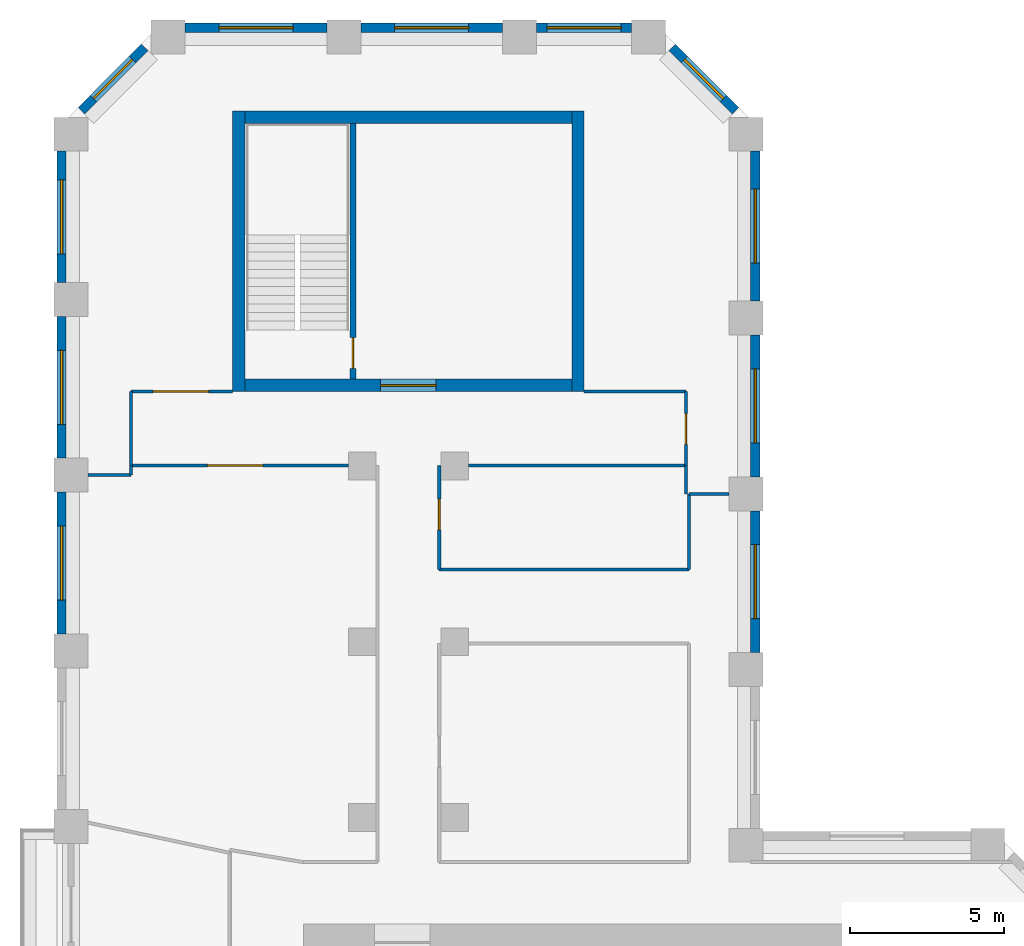
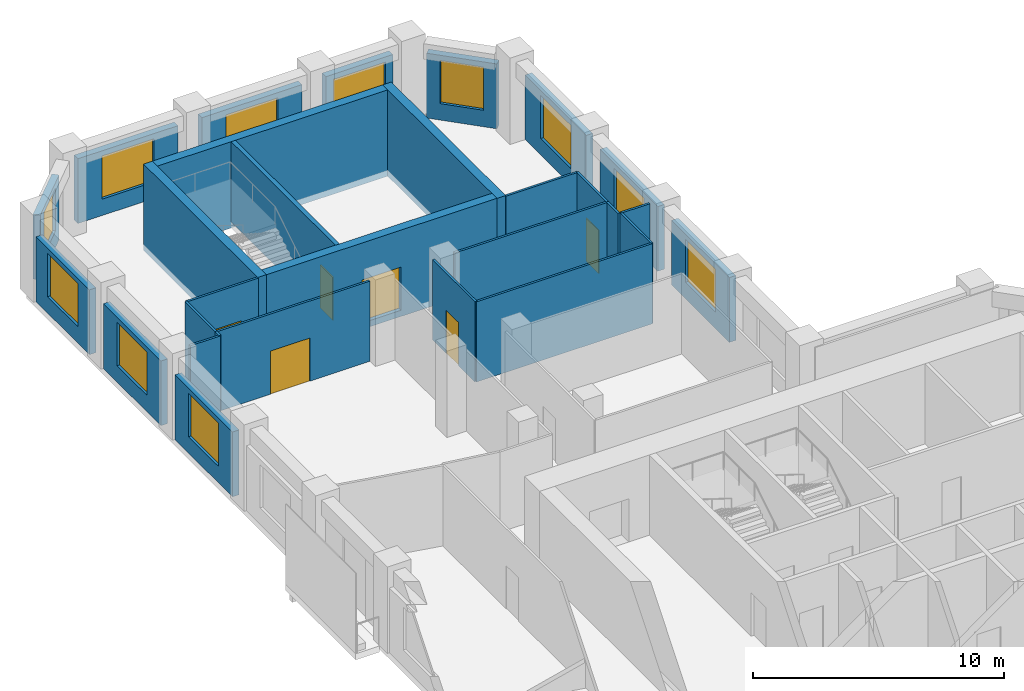
# One storey, part 8 of 10: 29 walls, 11 windows, 6 doors, 17 openings.
"""IFC4 building model written with IfcOpenShell, lengths in metres."""

from ifc_helpers import new_model, si_unit, direction, frame, frame_2d, origin, place, context, subcontext, project, spatial, rectangle, extrude, material, layer, layer_set, type_object, element, fill, save


model = new_model("IFC4")

# Units and contexts
model_context = context("Model", 3, precision=1e-05, world=origin(), true_north=direction((0.0, 1.0)))
body_context = subcontext(model_context, "Body", "Model", "MODEL_VIEW")
ifc_project = project(units=[si_unit("LENGTHUNIT", "METRE"), si_unit("AREAUNIT", "SQUARE_METRE"), si_unit("VOLUMEUNIT", "CUBIC_METRE"), si_unit("PLANEANGLEUNIT", "RADIAN"), si_unit("MASSUNIT", "GRAM", prefix="KILO")], contexts=[model_context])

# Site, building, storey
site_placement = place(None, origin())
site = spatial("IfcSite", under=ifc_project, at=site_placement, CompositionType="ELEMENT")
building_placement = place(site_placement, origin())
building = spatial("IfcBuilding", under=site, at=building_placement, Name="Meshkara Civic Tower", CompositionType="ELEMENT")
storey_placement = place(building_placement, frame((0.0, 0.0, 255.0)))
storey = spatial("IfcBuildingStorey", under=building, at=storey_placement, Name="L58", CompositionType="ELEMENT", Elevation=255.0)

# Wall, opening, door
ifc_material_1 = material(Name="Corridor wall 100")
ifc_layer_1 = layer(ifc_material_1, 0.10009765625)
ifc_layer_set_1 = layer_set([ifc_layer_1], Name="Corridor wall 100")
wall_type_1 = type_object("IfcWallType", Name="Corridor wall 100", PredefinedType="PARTITIONING", material=ifc_layer_set_1)
wall_1_placement = place(storey_placement, frame((2.39990234375, 51.77001953125, 0.0), z_axis=(0.0, 0.0, 1.0), x_axis=(1.0, 0.0, 0.0)))
wall_1 = element("IfcWall", 1, at=wall_1_placement, inside=storey, type_object=wall_type_1, Name="L58-W001", PredefinedType="PARTITIONING", context=body_context, shape_type="SweptSolid", body=[
    extrude(rectangle(XDim=7.050048828125, YDim=0.10009765625, at=frame_2d((3.52490234375, 0.0))), origin(), (0.0, 0.0, 1.0), 3.89990234375),
])
opening_1_placement = place(wall_1_placement, frame((2.47998046875, 0.0, 0.0)))
opening_1 = element("IfcOpeningElement", 2, at=opening_1_placement, cuts=wall_1, Name="Opening L58-D016", PredefinedType="OPENING", context=body_context, shape_type="SweptSolid", body=[
    extrude(rectangle(XDim=1.800048828125, YDim=2.10009765625, at=frame_2d((0.89990234375, 1.050048828125))), frame((0.0, 0.06005859375, 0.0), z_axis=(0.0, -1.0, 0.0), x_axis=(1.0, 0.0, 0.0)), (0.0, 0.0, 1.0), 0.1201171875),
])
ifc_material_2 = material(Name="Door pair 1800 x 2100")
door_type_1 = type_object("IfcDoorType", Name="Door pair 1800 x 2100", OperationType="SINGLE_SWING_LEFT", PredefinedType="DOOR", material=ifc_material_2)
door_1_placement = place(opening_1_placement, origin())
door_1 = element("IfcDoor", 3, at=door_1_placement, inside=storey, type_object=door_type_1, Name="L58-D016", OperationType="DOUBLE_DOOR_SINGLE_SWING", OverallHeight=2.10009765625, OverallWidth=1.800048828125, PredefinedType="DOOR", context=body_context, shape_type="SweptSolid", body=[
    extrude(rectangle(XDim=1.800048828125, YDim=2.10009765625, at=frame_2d((0.89990234375, 1.050048828125))), frame((0.0, 0.02490234375, 0.0), z_axis=(0.0, -1.0, 0.0), x_axis=(1.0, 0.0, 0.0)), (0.0, 0.0, 1.0), 0.050048828125),
])
fill(opening_1, door_1)

# Wall
wall_2_placement = place(storey_placement, frame((2.39990234375, 54.169921875, 0.0), z_axis=(0.0, 0.0, 1.0), x_axis=(0.0, -1.0, 0.0)))
element("IfcWall", 4, at=wall_2_placement, inside=storey, type_object=wall_type_1, Name="L58-W002", PredefinedType="PARTITIONING", context=body_context, shape_type="SweptSolid", body=[
    extrude(rectangle(XDim=2.39990234375, YDim=0.10009765625, at=frame_2d((1.199951171875, 0.0))), origin(), (0.0, 0.0, 1.0), 3.89990234375),
])

# Wall, opening, door
wall_3_placement = place(storey_placement, frame((5.699951171875, 54.169921875, 0.0), z_axis=(0.0, 0.0, 1.0), x_axis=(-1.0, 0.0, 0.0)))
wall_3 = element("IfcWall", 5, at=wall_3_placement, inside=storey, type_object=wall_type_1, Name="L58-W005", PredefinedType="PARTITIONING", context=body_context, shape_type="SweptSolid", body=[
    extrude(rectangle(XDim=3.300048828125, YDim=0.10009765625, at=frame_2d((1.64990234375, 0.0))), origin(), (0.0, 0.0, 1.0), 3.89990234375),
])
opening_2_placement = place(wall_3_placement, frame((0.780029296875, 0.0, 0.0)))
opening_2 = element("IfcOpeningElement", 6, at=opening_2_placement, cuts=wall_3, Name="Opening L58-D019", PredefinedType="OPENING", context=body_context, shape_type="SweptSolid", body=[
    extrude(rectangle(XDim=1.800048828125, YDim=2.10009765625, at=frame_2d((0.89990234375, 1.050048828125))), frame((0.0, 0.06005859375, 0.0), z_axis=(0.0, -1.0, 0.0), x_axis=(1.0, 0.0, 0.0)), (0.0, 0.0, 1.0), 0.1201171875),
])
door_2_placement = place(opening_2_placement, origin())
door_2 = element("IfcDoor", 7, at=door_2_placement, inside=storey, type_object=door_type_1, Name="L58-D019", OperationType="DOUBLE_DOOR_SINGLE_SWING", OverallHeight=2.10009765625, OverallWidth=1.800048828125, PredefinedType="DOOR", context=body_context, shape_type="SweptSolid", body=[
    extrude(rectangle(XDim=1.800048828125, YDim=2.10009765625, at=frame_2d((0.89990234375, 1.050048828125))), frame((0.0, 0.02490234375, 0.0), z_axis=(0.0, -1.0, 0.0), x_axis=(1.0, 0.0, 0.0)), (0.0, 0.0, 1.0), 0.050048828125),
])
fill(opening_2, door_2)

wall_4_placement = place(storey_placement, frame((12.39990234375, 48.39990234375, 0.0), z_axis=(0.0, 0.0, 1.0), x_axis=(0.0, 1.0, 0.0)))
wall_4 = element("IfcWall", 8, at=wall_4_placement, inside=storey, type_object=wall_type_1, Name="L58-W015", PredefinedType="PARTITIONING", context=body_context, shape_type="SweptSolid", body=[
    extrude(rectangle(XDim=3.3701171875, YDim=0.10009765625, at=frame_2d((1.68505859375, 0.0))), origin(), (0.0, 0.0, 1.0), 3.89990234375),
])
opening_3_placement = place(wall_4_placement, frame((1.280029296875, 0.0, 0.0)))
opening_3 = element("IfcOpeningElement", 9, at=opening_3_placement, cuts=wall_4, Name="Opening L58-D017", PredefinedType="OPENING", context=body_context, shape_type="SweptSolid", body=[
    extrude(rectangle(XDim=1.0, YDim=2.10009765625, at=frame_2d((0.5, 1.050048828125))), frame((0.0, 0.06005859375, 0.0), z_axis=(0.0, -1.0, 0.0), x_axis=(1.0, 0.0, 0.0)), (0.0, 0.0, 1.0), 0.1201171875),
])
ifc_material_3 = material(Name="Door 1000 x 2100")
door_type_2 = type_object("IfcDoorType", Name="Door 1000 x 2100", OperationType="SINGLE_SWING_LEFT", PredefinedType="DOOR", material=ifc_material_3)
door_3_placement = place(opening_3_placement, origin())
door_3 = element("IfcDoor", 10, at=door_3_placement, inside=storey, type_object=door_type_2, Name="L58-D017", OperationType="SINGLE_SWING_LEFT", OverallHeight=2.10009765625, OverallWidth=1.0, PredefinedType="DOOR", context=body_context, shape_type="SweptSolid", body=[
    extrude(rectangle(XDim=1.0, YDim=2.10009765625, at=frame_2d((0.5, 1.050048828125))), frame((0.0, 0.02490234375, 0.0), z_axis=(0.0, -1.0, 0.0), x_axis=(1.0, 0.0, 0.0)), (0.0, 0.0, 1.0), 0.050048828125),
])
fill(opening_3, door_3)

# Wall
wall_5_placement = place(storey_placement, frame((13.35009765625, 51.77001953125, 0.0), z_axis=(0.0, 0.0, 1.0), x_axis=(1.0, 0.0, 0.0)))
element("IfcWall", 11, at=wall_5_placement, inside=storey, type_object=wall_type_1, Name="L58-W018", PredefinedType="PARTITIONING", context=body_context, shape_type="SweptSolid", body=[
    extrude(rectangle(XDim=7.0498046875, YDim=0.10009765625, at=frame_2d((3.52490234375, 0.0))), origin(), (0.0, 0.0, 1.0), 3.89990234375),
])

# Wall, opening, door
wall_6_placement = place(storey_placement, frame((20.39990234375, 51.77001953125, 0.0), z_axis=(0.0, 0.0, 1.0), x_axis=(0.0, 1.0, 0.0)))
wall_6 = element("IfcWall", 12, at=wall_6_placement, inside=storey, type_object=wall_type_1, Name="L58-W019", PredefinedType="PARTITIONING", context=body_context, shape_type="SweptSolid", body=[
    extrude(rectangle(XDim=2.39990234375, YDim=0.10009765625, at=frame_2d((1.199951171875, 0.0))), origin(), (0.0, 0.0, 1.0), 3.89990234375),
])
opening_4_placement = place(wall_6_placement, frame((0.679931640625, 0.0, 0.0)))
opening_4 = element("IfcOpeningElement", 13, at=opening_4_placement, cuts=wall_6, Name="Opening L58-D018", PredefinedType="OPENING", context=body_context, shape_type="SweptSolid", body=[
    extrude(rectangle(XDim=1.0, YDim=2.10009765625, at=frame_2d((0.5, 1.050048828125))), frame((0.0, 0.06005859375, 0.0), z_axis=(0.0, -1.0, 0.0), x_axis=(1.0, 0.0, 0.0)), (0.0, 0.0, 1.0), 0.1201171875),
])
door_4_placement = place(opening_4_placement, origin())
door_4 = element("IfcDoor", 14, at=door_4_placement, inside=storey, type_object=door_type_2, Name="L58-D018", OperationType="SINGLE_SWING_RIGHT", OverallHeight=2.10009765625, OverallWidth=1.0, PredefinedType="DOOR", context=body_context, shape_type="SweptSolid", body=[
    extrude(rectangle(XDim=1.0, YDim=2.10009765625, at=frame_2d((0.5, 1.050048828125))), frame((0.0, 0.02490234375, 0.0), z_axis=(0.0, -1.0, 0.0), x_axis=(1.0, 0.0, 0.0)), (0.0, 0.0, 1.0), 0.050048828125),
])
fill(opening_4, door_4)

# Walls
wall_7_placement = place(storey_placement, frame((20.39990234375, 54.169921875, 0.0), z_axis=(0.0, 0.0, 1.0), x_axis=(-1.0, 0.0, 0.0)))
element("IfcWall", 15, at=wall_7_placement, inside=storey, type_object=wall_type_1, Name="L58-W020", PredefinedType="PARTITIONING", context=body_context, shape_type="SweptSolid", body=[
    extrude(rectangle(XDim=3.2998046875, YDim=0.10009765625, at=frame_2d((1.64990234375, 0.0))), origin(), (0.0, 0.0, 1.0), 3.89990234375),
])
wall_8_placement = place(storey_placement, frame((20.5, 48.39990234375, 0.0), z_axis=(0.0, 0.0, 1.0), x_axis=(-1.0, 0.0, 0.0)))
element("IfcWall", 16, at=wall_8_placement, inside=storey, type_object=wall_type_1, Name="L58-W023", PredefinedType="PARTITIONING", context=body_context, shape_type="SweptSolid", body=[
    extrude(rectangle(XDim=8.10009765625, YDim=0.10009765625, at=frame_2d((4.050048828125, 0.0))), origin(), (0.0, 0.0, 1.0), 3.89990234375),
])
wall_9_placement = place(storey_placement, frame((20.5, 50.85009765625, 0.0), z_axis=(0.0, 0.0, 1.0), x_axis=(0.0, -1.0, 0.0)))
element("IfcWall", 17, at=wall_9_placement, inside=storey, type_object=wall_type_1, Name="L58-W024", PredefinedType="PARTITIONING", context=body_context, shape_type="SweptSolid", body=[
    extrude(rectangle(XDim=2.4501953125, YDim=0.10009765625, at=frame_2d((1.22509765625, 0.0))), origin(), (0.0, 0.0, 1.0), 3.89990234375),
])
wall_10_placement = place(storey_placement, frame((21.800048828125, 50.85009765625, 0.0), z_axis=(0.0, 0.0, 1.0), x_axis=(-1.0, 0.0, 0.0)))
element("IfcWall", 18, at=wall_10_placement, inside=storey, type_object=wall_type_1, Name="L58-W025", PredefinedType="PARTITIONING", context=body_context, shape_type="SweptSolid", body=[
    extrude(rectangle(XDim=1.300048828125, YDim=0.10009765625, at=frame_2d((0.64990234375, 0.0))), origin(), (0.0, 0.0, 1.0), 3.89990234375),
])

# Wall, opening, window
ifc_material_4 = material(Name="Insulated infill panel with bronze anodised aluminium cladding", Category="aluminium")
ifc_layer_2 = layer(ifc_material_4, 0.300048828125)
ifc_layer_set_2 = layer_set([ifc_layer_2], Name="EXTERNAL INFILL WALL 300")
wall_type_2 = type_object("IfcWallType", Name="EXTERNAL INFILL WALL 300", PredefinedType="SOLIDWALL", material=ifc_layer_set_2)
wall_11_placement = place(storey_placement, frame((22.64990234375, 45.699951171875, 0.0), z_axis=(0.0, 0.0, 1.0), x_axis=(0.0, 1.0, 0.0)))
wall_11 = element("IfcWall", 19, at=wall_11_placement, inside=storey, type_object=wall_type_2, Name="External wall", PredefinedType="SOLIDWALL", context=body_context, shape_type="SweptSolid", body=[
    extrude(rectangle(XDim=4.60009765625, YDim=0.300048828125, at=frame_2d((2.300048828125, 0.0))), origin(), (0.0, 0.0, 1.0), 3.14990234375),
])
opening_5_placement = place(wall_11_placement, frame((1.10009765625, 0.0, 0.800048828125)))
opening_5 = element("IfcOpeningElement", 20, at=opening_5_placement, cuts=wall_11, Name="Opening W7", PredefinedType="OPENING", context=body_context, shape_type="SweptSolid", body=[
    extrude(rectangle(XDim=2.39990234375, YDim=2.10009765625, at=frame_2d((1.199951171875, 1.050048828125))), frame((0.0, 0.159912109375, 0.0), z_axis=(0.0, -1.0, 0.0), x_axis=(1.0, 0.0, 0.0)), (0.0, 0.0, 1.0), 0.320068359375),
])
ifc_material_5 = material(Name="Tinted double glazing", Category="glass")
window_type_1 = type_object("IfcWindowType", Name="WINDOW 2400x2100", PartitioningType="DOUBLE_PANEL_VERTICAL", PredefinedType="WINDOW", material=ifc_material_5)
window_1_placement = place(opening_5_placement, origin())
window_1 = element("IfcWindow", 21, at=window_1_placement, inside=storey, type_object=window_type_1, Name="Window", OverallHeight=2.10009765625, OverallWidth=2.39990234375, PartitioningType="DOUBLE_PANEL_VERTICAL", PredefinedType="WINDOW", context=body_context, shape_type="SweptSolid", body=[
    extrude(rectangle(XDim=2.39990234375, YDim=2.10009765625, at=frame_2d((1.199951171875, 1.050048828125))), frame((0.0, 0.030029296875, 0.0), z_axis=(0.0, -1.0, 0.0), x_axis=(1.0, 0.0, 0.0)), (0.0, 0.0, 1.0), 0.06005859375),
])
fill(opening_5, window_1)

wall_12_placement = place(storey_placement, frame((22.64990234375, 51.39990234375, 0.0), z_axis=(0.0, 0.0, 1.0), x_axis=(0.0, 1.0, 0.0)))
wall_12 = element("IfcWall", 22, at=wall_12_placement, inside=storey, type_object=wall_type_2, Name="External wall", PredefinedType="SOLIDWALL", context=body_context, shape_type="SweptSolid", body=[
    extrude(rectangle(XDim=4.60009765625, YDim=0.300048828125, at=frame_2d((2.300048828125, 0.0))), origin(), (0.0, 0.0, 1.0), 3.14990234375),
])
opening_6_placement = place(wall_12_placement, frame((1.10009765625, 0.0, 0.800048828125)))
opening_6 = element("IfcOpeningElement", 23, at=opening_6_placement, cuts=wall_12, Name="Opening W7", PredefinedType="OPENING", context=body_context, shape_type="SweptSolid", body=[
    extrude(rectangle(XDim=2.39990234375, YDim=2.10009765625, at=frame_2d((1.199951171875, 1.050048828125))), frame((0.0, 0.159912109375, 0.0), z_axis=(0.0, -1.0, 0.0), x_axis=(1.0, 0.0, 0.0)), (0.0, 0.0, 1.0), 0.320068359375),
])
window_2_placement = place(opening_6_placement, origin())
window_2 = element("IfcWindow", 24, at=window_2_placement, inside=storey, type_object=window_type_1, Name="Window", OverallHeight=2.10009765625, OverallWidth=2.39990234375, PartitioningType="DOUBLE_PANEL_VERTICAL", PredefinedType="WINDOW", context=body_context, shape_type="SweptSolid", body=[
    extrude(rectangle(XDim=2.39990234375, YDim=2.10009765625, at=frame_2d((1.199951171875, 1.050048828125))), frame((0.0, 0.030029296875, 0.0), z_axis=(0.0, -1.0, 0.0), x_axis=(1.0, 0.0, 0.0)), (0.0, 0.0, 1.0), 0.06005859375),
])
fill(opening_6, window_2)

wall_13_placement = place(storey_placement, frame((22.64990234375, 57.10009765625, 0.0), z_axis=(0.0, 0.0, 1.0), x_axis=(0.0, 1.0, 0.0)))
wall_13 = element("IfcWall", 25, at=wall_13_placement, inside=storey, type_object=wall_type_2, Name="External wall", PredefinedType="SOLIDWALL", context=body_context, shape_type="SweptSolid", body=[
    extrude(rectangle(XDim=4.864013671875, YDim=0.300048828125, at=frame_2d((2.43212890625, 0.0))), origin(), (0.0, 0.0, 1.0), 3.14990234375),
])
opening_7_placement = place(wall_13_placement, frame((1.23193359375, 0.0, 0.800048828125)))
opening_7 = element("IfcOpeningElement", 26, at=opening_7_placement, cuts=wall_13, Name="Opening W7", PredefinedType="OPENING", context=body_context, shape_type="SweptSolid", body=[
    extrude(rectangle(XDim=2.39990234375, YDim=2.10009765625, at=frame_2d((1.199951171875, 1.050048828125))), frame((0.0, 0.159912109375, 0.0), z_axis=(0.0, -1.0, 0.0), x_axis=(1.0, 0.0, 0.0)), (0.0, 0.0, 1.0), 0.320068359375),
])
window_3_placement = place(opening_7_placement, origin())
window_3 = element("IfcWindow", 27, at=window_3_placement, inside=storey, type_object=window_type_1, Name="Window", OverallHeight=2.10009765625, OverallWidth=2.39990234375, PartitioningType="DOUBLE_PANEL_VERTICAL", PredefinedType="WINDOW", context=body_context, shape_type="SweptSolid", body=[
    extrude(rectangle(XDim=2.39990234375, YDim=2.10009765625, at=frame_2d((1.199951171875, 1.050048828125))), frame((0.0, 0.030029296875, 0.0), z_axis=(0.0, -1.0, 0.0), x_axis=(1.0, 0.0, 0.0)), (0.0, 0.0, 1.0), 0.06005859375),
])
fill(opening_7, window_3)

wall_14_placement = place(storey_placement, frame((22.011962890625, 63.27587890625, 0.0), z_axis=(0.0, 0.0, 1.0), x_axis=(-0.707064797706, 0.707148762175, 0.0)))
wall_14 = element("IfcWall", 28, at=wall_14_placement, inside=storey, type_object=wall_type_2, Name="External wall", PredefinedType="SOLIDWALL", context=body_context, shape_type="SweptSolid", body=[
    extrude(rectangle(XDim=2.90771484375, YDim=0.300048828125, at=frame_2d((1.453857421875, 0.0))), origin(), (0.0, 0.0, 1.0), 3.14990234375),
])
opening_8_placement = place(wall_14_placement, frame((0.553955078125, 0.0, 0.800048828125)))
opening_8 = element("IfcOpeningElement", 29, at=opening_8_placement, cuts=wall_14, Name="Opening W9", PredefinedType="OPENING", context=body_context, shape_type="SweptSolid", body=[
    extrude(rectangle(XDim=1.800048828125, YDim=2.10009765625, at=frame_2d((0.89990234375, 1.050048828125))), frame((0.0, 0.159912109375, 0.0), z_axis=(0.0, -1.0, 0.0), x_axis=(1.0, 0.0, 0.0)), (0.0, 0.0, 1.0), 0.320068359375),
])
ifc_material_6 = material(Name="Tinted double glazing", Category="glass")
window_type_2 = type_object("IfcWindowType", Name="WINDOW 1800x2100", PartitioningType="DOUBLE_PANEL_VERTICAL", PredefinedType="WINDOW", material=ifc_material_6)
window_4_placement = place(opening_8_placement, origin())
window_4 = element("IfcWindow", 30, at=window_4_placement, inside=storey, type_object=window_type_2, Name="Window", OverallHeight=2.10009765625, OverallWidth=1.800048828125, PartitioningType="DOUBLE_PANEL_VERTICAL", PredefinedType="WINDOW", context=body_context, shape_type="SweptSolid", body=[
    extrude(rectangle(XDim=1.800048828125, YDim=2.10009765625, at=frame_2d((0.89990234375, 1.050048828125))), frame((0.0, 0.030029296875, 0.0), z_axis=(0.0, -1.0, 0.0), x_axis=(1.0, 0.0, 0.0)), (0.0, 0.0, 1.0), 0.06005859375),
])
fill(opening_8, window_4)

wall_15_placement = place(storey_placement, frame((18.64404296875, 65.969970703125, 0.0), z_axis=(0.0, 0.0, 1.0), x_axis=(-1.0, 0.0, 0.0)))
wall_15 = element("IfcWall", 31, at=wall_15_placement, inside=storey, type_object=wall_type_2, Name="External wall", PredefinedType="SOLIDWALL", context=body_context, shape_type="SweptSolid", body=[
    extrude(rectangle(XDim=3.088134765625, YDim=0.300048828125, at=frame_2d((1.5439453125, 0.0))), origin(), (0.0, 0.0, 1.0), 3.14990234375),
])
opening_9_placement = place(wall_15_placement, frame((0.343994140625, 0.0, 0.800048828125)))
opening_9 = element("IfcOpeningElement", 32, at=opening_9_placement, cuts=wall_15, Name="Opening W7", PredefinedType="OPENING", context=body_context, shape_type="SweptSolid", body=[
    extrude(rectangle(XDim=2.39990234375, YDim=2.10009765625, at=frame_2d((1.199951171875, 1.050048828125))), frame((0.0, 0.159912109375, 0.0), z_axis=(0.0, -1.0, 0.0), x_axis=(1.0, 0.0, 0.0)), (0.0, 0.0, 1.0), 0.320068359375),
])
window_5_placement = place(opening_9_placement, origin())
window_5 = element("IfcWindow", 33, at=window_5_placement, inside=storey, type_object=window_type_1, Name="Window", OverallHeight=2.10009765625, OverallWidth=2.39990234375, PartitioningType="DOUBLE_PANEL_VERTICAL", PredefinedType="WINDOW", context=body_context, shape_type="SweptSolid", body=[
    extrude(rectangle(XDim=2.39990234375, YDim=2.10009765625, at=frame_2d((1.199951171875, 1.050048828125))), frame((0.0, 0.030029296875, 0.0), z_axis=(0.0, -1.0, 0.0), x_axis=(1.0, 0.0, 0.0)), (0.0, 0.0, 1.0), 0.06005859375),
])
fill(opening_9, window_5)

wall_16_placement = place(storey_placement, frame((14.4560546875, 65.969970703125, 0.0), z_axis=(0.0, 0.0, 1.0), x_axis=(-1.0, 0.0, 0.0)))
wall_16 = element("IfcWall", 34, at=wall_16_placement, inside=storey, type_object=wall_type_2, Name="External wall", PredefinedType="SOLIDWALL", context=body_context, shape_type="SweptSolid", body=[
    extrude(rectangle(XDim=4.60009765625, YDim=0.300048828125, at=frame_2d((2.300048828125, 0.0))), origin(), (0.0, 0.0, 1.0), 3.14990234375),
])
opening_10_placement = place(wall_16_placement, frame((1.10009765625, 0.0, 0.800048828125)))
opening_10 = element("IfcOpeningElement", 35, at=opening_10_placement, cuts=wall_16, Name="Opening W7", PredefinedType="OPENING", context=body_context, shape_type="SweptSolid", body=[
    extrude(rectangle(XDim=2.39990234375, YDim=2.10009765625, at=frame_2d((1.199951171875, 1.050048828125))), frame((0.0, 0.159912109375, 0.0), z_axis=(0.0, -1.0, 0.0), x_axis=(1.0, 0.0, 0.0)), (0.0, 0.0, 1.0), 0.320068359375),
])
window_6_placement = place(opening_10_placement, origin())
window_6 = element("IfcWindow", 36, at=window_6_placement, inside=storey, type_object=window_type_1, Name="Window", OverallHeight=2.10009765625, OverallWidth=2.39990234375, PartitioningType="DOUBLE_PANEL_VERTICAL", PredefinedType="WINDOW", context=body_context, shape_type="SweptSolid", body=[
    extrude(rectangle(XDim=2.39990234375, YDim=2.10009765625, at=frame_2d((1.199951171875, 1.050048828125))), frame((0.0, 0.030029296875, 0.0), z_axis=(0.0, -1.0, 0.0), x_axis=(1.0, 0.0, 0.0)), (0.0, 0.0, 1.0), 0.06005859375),
])
fill(opening_10, window_6)

wall_17_placement = place(storey_placement, frame((8.756103515625, 65.969970703125, 0.0), z_axis=(0.0, 0.0, 1.0), x_axis=(-1.0, 0.0, 0.0)))
wall_17 = element("IfcWall", 37, at=wall_17_placement, inside=storey, type_object=wall_type_2, Name="External wall", PredefinedType="SOLIDWALL", context=body_context, shape_type="SweptSolid", body=[
    extrude(rectangle(XDim=4.60009765625, YDim=0.300048828125, at=frame_2d((2.300048828125, 0.0))), origin(), (0.0, 0.0, 1.0), 3.14990234375),
])
opening_11_placement = place(wall_17_placement, frame((1.10009765625, 0.0, 0.800048828125)))
opening_11 = element("IfcOpeningElement", 38, at=opening_11_placement, cuts=wall_17, Name="Opening W7", PredefinedType="OPENING", context=body_context, shape_type="SweptSolid", body=[
    extrude(rectangle(XDim=2.39990234375, YDim=2.10009765625, at=frame_2d((1.199951171875, 1.050048828125))), frame((0.0, 0.159912109375, 0.0), z_axis=(0.0, -1.0, 0.0), x_axis=(1.0, 0.0, 0.0)), (0.0, 0.0, 1.0), 0.320068359375),
])
window_7_placement = place(opening_11_placement, origin())
window_7 = element("IfcWindow", 39, at=window_7_placement, inside=storey, type_object=window_type_1, Name="Window", OverallHeight=2.10009765625, OverallWidth=2.39990234375, PartitioningType="DOUBLE_PANEL_VERTICAL", PredefinedType="WINDOW", context=body_context, shape_type="SweptSolid", body=[
    extrude(rectangle(XDim=2.39990234375, YDim=2.10009765625, at=frame_2d((1.199951171875, 1.050048828125))), frame((0.0, 0.030029296875, 0.0), z_axis=(0.0, -1.0, 0.0), x_axis=(1.0, 0.0, 0.0)), (0.0, 0.0, 1.0), 0.06005859375),
])
fill(opening_11, window_7)

wall_18_placement = place(storey_placement, frame((2.843994140625, 65.33203125, 0.0), z_axis=(0.0, 0.0, 1.0), x_axis=(-0.707064797706, -0.707148762175, 0.0)))
wall_18 = element("IfcWall", 40, at=wall_18_placement, inside=storey, type_object=wall_type_2, Name="External wall", PredefinedType="SOLIDWALL", context=body_context, shape_type="SweptSolid", body=[
    extrude(rectangle(XDim=2.90771484375, YDim=0.300048828125, at=frame_2d((1.453857421875, 0.0))), origin(), (0.0, 0.0, 1.0), 3.14990234375),
])
opening_12_placement = place(wall_18_placement, frame((0.553955078125, 0.0, 0.800048828125)))
opening_12 = element("IfcOpeningElement", 41, at=opening_12_placement, cuts=wall_18, Name="Opening W9", PredefinedType="OPENING", context=body_context, shape_type="SweptSolid", body=[
    extrude(rectangle(XDim=1.800048828125, YDim=2.10009765625, at=frame_2d((0.89990234375, 1.050048828125))), frame((0.0, 0.159912109375, 0.0), z_axis=(0.0, -1.0, 0.0), x_axis=(1.0, 0.0, 0.0)), (0.0, 0.0, 1.0), 0.320068359375),
])
window_8_placement = place(opening_12_placement, origin())
window_8 = element("IfcWindow", 42, at=window_8_placement, inside=storey, type_object=window_type_2, Name="Window", OverallHeight=2.10009765625, OverallWidth=1.800048828125, PartitioningType="DOUBLE_PANEL_VERTICAL", PredefinedType="WINDOW", context=body_context, shape_type="SweptSolid", body=[
    extrude(rectangle(XDim=1.800048828125, YDim=2.10009765625, at=frame_2d((0.89990234375, 1.050048828125))), frame((0.0, 0.030029296875, 0.0), z_axis=(0.0, -1.0, 0.0), x_axis=(1.0, 0.0, 0.0)), (0.0, 0.0, 1.0), 0.06005859375),
])
fill(opening_12, window_8)

wall_19_placement = place(storey_placement, frame((0.14990234375, 61.964111328125, 0.0), z_axis=(0.0, 0.0, 1.0), x_axis=(0.0, -1.0, 0.0)))
wall_19 = element("IfcWall", 43, at=wall_19_placement, inside=storey, type_object=wall_type_2, Name="External wall", PredefinedType="SOLIDWALL", context=body_context, shape_type="SweptSolid", body=[
    extrude(rectangle(XDim=4.259033203125, YDim=0.300048828125, at=frame_2d((2.12939453125, 0.0))), origin(), (0.0, 0.0, 1.0), 3.14990234375),
])
opening_13_placement = place(wall_19_placement, frame((0.929931640625, 0.0, 0.800048828125)))
opening_13 = element("IfcOpeningElement", 44, at=opening_13_placement, cuts=wall_19, Name="Opening W7", PredefinedType="OPENING", context=body_context, shape_type="SweptSolid", body=[
    extrude(rectangle(XDim=2.39990234375, YDim=2.10009765625, at=frame_2d((1.199951171875, 1.050048828125))), frame((0.0, 0.159912109375, 0.0), z_axis=(0.0, -1.0, 0.0), x_axis=(1.0, 0.0, 0.0)), (0.0, 0.0, 1.0), 0.320068359375),
])
window_9_placement = place(opening_13_placement, origin())
window_9 = element("IfcWindow", 45, at=window_9_placement, inside=storey, type_object=window_type_1, Name="Window", OverallHeight=2.10009765625, OverallWidth=2.39990234375, PartitioningType="DOUBLE_PANEL_VERTICAL", PredefinedType="WINDOW", context=body_context, shape_type="SweptSolid", body=[
    extrude(rectangle(XDim=2.39990234375, YDim=2.10009765625, at=frame_2d((1.199951171875, 1.050048828125))), frame((0.0, 0.030029296875, 0.0), z_axis=(0.0, -1.0, 0.0), x_axis=(1.0, 0.0, 0.0)), (0.0, 0.0, 1.0), 0.06005859375),
])
fill(opening_13, window_9)

wall_20_placement = place(storey_placement, frame((0.14990234375, 56.60498046875, 0.0), z_axis=(0.0, 0.0, 1.0), x_axis=(0.0, -1.0, 0.0)))
wall_20 = element("IfcWall", 46, at=wall_20_placement, inside=storey, type_object=wall_type_2, Name="External wall", PredefinedType="SOLIDWALL", context=body_context, shape_type="SweptSolid", body=[
    extrude(rectangle(XDim=4.60009765625, YDim=0.300048828125, at=frame_2d((2.300048828125, 0.0))), origin(), (0.0, 0.0, 1.0), 3.14990234375),
])
opening_14_placement = place(wall_20_placement, frame((1.10009765625, 0.0, 0.800048828125)))
opening_14 = element("IfcOpeningElement", 47, at=opening_14_placement, cuts=wall_20, Name="Opening W7", PredefinedType="OPENING", context=body_context, shape_type="SweptSolid", body=[
    extrude(rectangle(XDim=2.39990234375, YDim=2.10009765625, at=frame_2d((1.199951171875, 1.050048828125))), frame((0.0, 0.159912109375, 0.0), z_axis=(0.0, -1.0, 0.0), x_axis=(1.0, 0.0, 0.0)), (0.0, 0.0, 1.0), 0.320068359375),
])
window_10_placement = place(opening_14_placement, origin())
window_10 = element("IfcWindow", 48, at=window_10_placement, inside=storey, type_object=window_type_1, Name="Window", OverallHeight=2.10009765625, OverallWidth=2.39990234375, PartitioningType="DOUBLE_PANEL_VERTICAL", PredefinedType="WINDOW", context=body_context, shape_type="SweptSolid", body=[
    extrude(rectangle(XDim=2.39990234375, YDim=2.10009765625, at=frame_2d((1.199951171875, 1.050048828125))), frame((0.0, 0.030029296875, 0.0), z_axis=(0.0, -1.0, 0.0), x_axis=(1.0, 0.0, 0.0)), (0.0, 0.0, 1.0), 0.06005859375),
])
fill(opening_14, window_10)

wall_21_placement = place(storey_placement, frame((0.14990234375, 50.905029296875, 0.0), z_axis=(0.0, 0.0, 1.0), x_axis=(0.0, -1.0, 0.0)))
wall_21 = element("IfcWall", 49, at=wall_21_placement, inside=storey, type_object=wall_type_2, Name="External wall", PredefinedType="SOLIDWALL", context=body_context, shape_type="SweptSolid", body=[
    extrude(rectangle(XDim=4.60009765625, YDim=0.300048828125, at=frame_2d((2.300048828125, 0.0))), origin(), (0.0, 0.0, 1.0), 3.14990234375),
])
opening_15_placement = place(wall_21_placement, frame((1.10009765625, 0.0, 0.800048828125)))
opening_15 = element("IfcOpeningElement", 50, at=opening_15_placement, cuts=wall_21, Name="Opening W7", PredefinedType="OPENING", context=body_context, shape_type="SweptSolid", body=[
    extrude(rectangle(XDim=2.39990234375, YDim=2.10009765625, at=frame_2d((1.199951171875, 1.050048828125))), frame((0.0, 0.159912109375, 0.0), z_axis=(0.0, -1.0, 0.0), x_axis=(1.0, 0.0, 0.0)), (0.0, 0.0, 1.0), 0.320068359375),
])
window_11_placement = place(opening_15_placement, origin())
window_11 = element("IfcWindow", 51, at=window_11_placement, inside=storey, type_object=window_type_1, Name="Window", OverallHeight=2.10009765625, OverallWidth=2.39990234375, PartitioningType="DOUBLE_PANEL_VERTICAL", PredefinedType="WINDOW", context=body_context, shape_type="SweptSolid", body=[
    extrude(rectangle(XDim=2.39990234375, YDim=2.10009765625, at=frame_2d((1.199951171875, 1.050048828125))), frame((0.0, 0.030029296875, 0.0), z_axis=(0.0, -1.0, 0.0), x_axis=(1.0, 0.0, 0.0)), (0.0, 0.0, 1.0), 0.06005859375),
])
fill(opening_15, window_11)

# Walls
ifc_material_7 = material(Name="Concrete C60", Category="concrete")
ifc_layer_3 = layer(ifc_material_7, 0.39990234375)
ifc_layer_set_3 = layer_set([ifc_layer_3], Name="End core ring wall 400 C60")
wall_type_3 = type_object("IfcWallType", Name="End core ring wall 400 C60", PredefinedType="SHEAR", material=ifc_layer_set_3)
for number, where, z_axis, x_axis, name in (
    (52, (5.89990234375, 54.169921875, -0.300048828125), (0.0, 0.0, 1.0), (0.0, 1.0, 0.0), "L58-C023"),
    (53, (16.89990234375, 54.169921875, -0.300048828125), (0.0, 0.0, 1.0), (0.0, 1.0, 0.0), "L58-C024"),
):
    element("IfcWall", number, at=place(storey_placement, frame(where, z_axis=z_axis, x_axis=x_axis)), inside=storey, type_object=wall_type_3, Name=name, PredefinedType="SHEAR", context=body_context, shape_type="SweptSolid", body=[
        extrude(rectangle(XDim=9.10009765625, YDim=0.39990234375, at=frame_2d((4.550048828125, 0.0))), origin(), (0.0, 0.0, 1.0), 4.199951171875),
    ])

# Wall, opening, door
wall_22_placement = place(storey_placement, frame((6.10009765625, 54.3701171875, -0.300048828125), z_axis=(0.0, 0.0, 1.0), x_axis=(1.0, 0.0, 0.0)))
wall_22 = element("IfcWall", 54, at=wall_22_placement, inside=storey, type_object=wall_type_3, Name="L58-C025", PredefinedType="SHEAR", context=body_context, shape_type="SweptSolid", body=[
    extrude(rectangle(XDim=10.599853515625, YDim=0.39990234375, at=frame_2d((5.2998046875, 0.0))), origin(), (0.0, 0.0, 1.0), 4.199951171875),
])
opening_16_placement = place(wall_22_placement, frame((4.39990234375, 0.0, 0.300048828125)))
opening_16 = element("IfcOpeningElement", 55, at=opening_16_placement, cuts=wall_22, Name="Opening L58-K102", PredefinedType="OPENING", context=body_context, shape_type="SweptSolid", body=[
    extrude(rectangle(XDim=1.800048828125, YDim=2.10009765625, at=frame_2d((0.89990234375, 1.050048828125))), frame((0.0, 0.2099609375, 0.0), z_axis=(0.0, -1.0, 0.0), x_axis=(1.0, 0.0, 0.0)), (0.0, 0.0, 1.0), 0.419921875),
])
ifc_material_8 = material(Name="Fire-rated door leaf in steel frame", Category="steel")
door_type_3 = type_object("IfcDoorType", Name="Core double door 1800 EI 60", OperationType="DOUBLE_DOOR_SINGLE_SWING", PredefinedType="DOOR", material=ifc_material_8)
door_5_placement = place(opening_16_placement, origin())
door_5 = element("IfcDoor", 56, at=door_5_placement, inside=storey, type_object=door_type_3, Name="L58-K102", OperationType="DOUBLE_DOOR_SINGLE_SWING", OverallHeight=2.10009765625, OverallWidth=1.800048828125, PredefinedType="DOOR", context=body_context, shape_type="SweptSolid", body=[
    extrude(rectangle(XDim=1.800048828125, YDim=2.10009765625, at=frame_2d((0.89990234375, 1.050048828125))), frame((0.0, 0.02490234375, 0.0), z_axis=(0.0, -1.0, 0.0), x_axis=(1.0, 0.0, 0.0)), (0.0, 0.0, 1.0), 0.050048828125),
])
fill(opening_16, door_5)

# Walls
wall_23_placement = place(storey_placement, frame((6.10009765625, 63.070068359375, -0.300048828125), z_axis=(0.0, 0.0, 1.0), x_axis=(1.0, 0.0, 0.0)))
element("IfcWall", 57, at=wall_23_placement, inside=storey, type_object=wall_type_3, Name="L58-C026", PredefinedType="SHEAR", context=body_context, shape_type="SweptSolid", body=[
    extrude(rectangle(XDim=10.599853515625, YDim=0.39990234375, at=frame_2d((5.2998046875, 0.0))), origin(), (0.0, 0.0, 1.0), 4.199951171875),
])
ifc_material_9 = material(Name="Partition 100")
ifc_layer_4 = layer(ifc_material_9, 0.10009765625)
ifc_layer_set_4 = layer_set([ifc_layer_4], Name="Partition 100")
wall_type_4 = type_object("IfcWallType", Name="Partition 100", PredefinedType="PARTITIONING", material=ifc_layer_set_4)
wall_24_placement = place(storey_placement, frame((2.39990234375, 51.455078125, 0.0), z_axis=(0.0, 0.0, 1.0), x_axis=(-1.0, 0.0, 0.0)))
element("IfcWall", 58, at=wall_24_placement, inside=storey, type_object=wall_type_4, Name="L58-W044", PredefinedType="PARTITIONING", context=body_context, shape_type="SweptSolid", body=[
    extrude(rectangle(XDim=1.39990234375, YDim=0.10009765625, at=frame_2d((0.699951171875, 0.0))), origin(), (0.0, 0.0, 1.0), 3.89990234375),
])
wall_25_placement = place(storey_placement, frame((2.39990234375, 51.77392578125, 0.0), z_axis=(0.0, 0.0, 1.0), x_axis=(0.0, -1.0, 0.0)))
element("IfcWall", 59, at=wall_25_placement, inside=storey, type_object=wall_type_4, Name="L58-W045", PredefinedType="PARTITIONING", context=body_context, shape_type="SweptSolid", body=[
    extrude(rectangle(XDim=0.31884765625, YDim=0.10009765625, at=frame_2d((0.159423828125, 0.0))), origin(), (0.0, 0.0, 1.0), 3.89990234375),
])
wall_26_placement = place(storey_placement, frame((20.39990234375, 50.85009765625, 0.0), z_axis=(0.0, 0.0, 1.0), x_axis=(0.0, 1.0, 0.0)))
element("IfcWall", 60, at=wall_26_placement, inside=storey, type_object=wall_type_4, Name="L58-W053", PredefinedType="PARTITIONING", context=body_context, shape_type="SweptSolid", body=[
    extrude(rectangle(XDim=0.923828125, YDim=0.10009765625, at=frame_2d((0.4619140625, 0.0))), origin(), (0.0, 0.0, 1.0), 3.89990234375),
])

# Wall, opening, door
ifc_material_10 = material(Name="Concrete C40/50", Category="concrete")
ifc_layer_5 = layer(ifc_material_10, 0.199951171875)
ifc_layer_set_5 = layer_set([ifc_layer_5], Name="Stair enclosure wall 200 C40/50")
wall_type_5 = type_object("IfcWallType", Name="Stair enclosure wall 200 C40/50", PredefinedType="SOLIDWALL", material=ifc_layer_set_5)
wall_27_placement = place(storey_placement, frame((9.60009765625, 54.570068359375, 0.0), z_axis=(0.0, 0.0, 1.0), x_axis=(0.0, 1.0, 0.0)))
wall_27 = element("IfcWall", 61, at=wall_27_placement, inside=storey, type_object=wall_type_5, Name="L58-C027", PredefinedType="SOLIDWALL", context=body_context, shape_type="SweptSolid", body=[
    extrude(rectangle(XDim=8.300048828125, YDim=0.199951171875, at=frame_2d((4.14990234375, 0.0))), origin(), (0.0, 0.0, 1.0), 3.89990234375),
])
opening_17_placement = place(wall_27_placement, frame((0.35009765625, 0.0, 0.0)))
opening_17 = element("IfcOpeningElement", 62, at=opening_17_placement, cuts=wall_27, Name="Opening L58-K101", PredefinedType="OPENING", context=body_context, shape_type="SweptSolid", body=[
    extrude(rectangle(XDim=1.0, YDim=2.10009765625, at=frame_2d((0.5, 1.050048828125))), frame((0.0, 0.10986328125, 0.0), z_axis=(0.0, -1.0, 0.0), x_axis=(1.0, 0.0, 0.0)), (0.0, 0.0, 1.0), 0.219970703125),
])
ifc_material_11 = material(Name="Fire-rated door leaf in steel frame", Category="steel")
door_type_4 = type_object("IfcDoorType", Name="Stair door 1000 EI 120", OperationType="SINGLE_SWING_LEFT", PredefinedType="DOOR", material=ifc_material_11)
door_6_placement = place(opening_17_placement, origin())
door_6 = element("IfcDoor", 63, at=door_6_placement, inside=storey, type_object=door_type_4, Name="L58-K101", OperationType="SINGLE_SWING_RIGHT", OverallHeight=2.10009765625, OverallWidth=1.0, PredefinedType="DOOR", context=body_context, shape_type="SweptSolid", body=[
    extrude(rectangle(XDim=1.0, YDim=2.10009765625, at=frame_2d((0.5, 1.050048828125))), frame((0.0, 0.02490234375, 0.0), z_axis=(0.0, -1.0, 0.0), x_axis=(1.0, 0.0, 0.0)), (0.0, 0.0, 1.0), 0.050048828125),
])
fill(opening_17, door_6)

save(model, "model.ifc")
